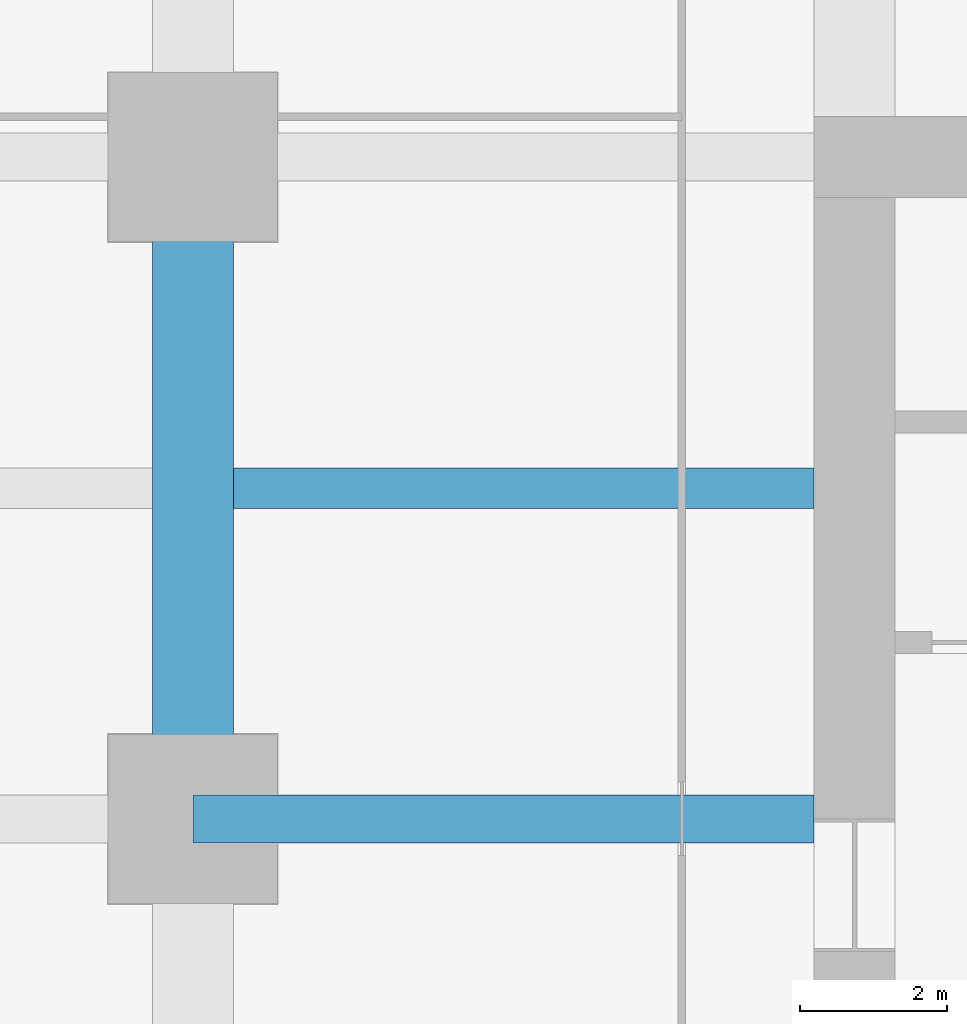
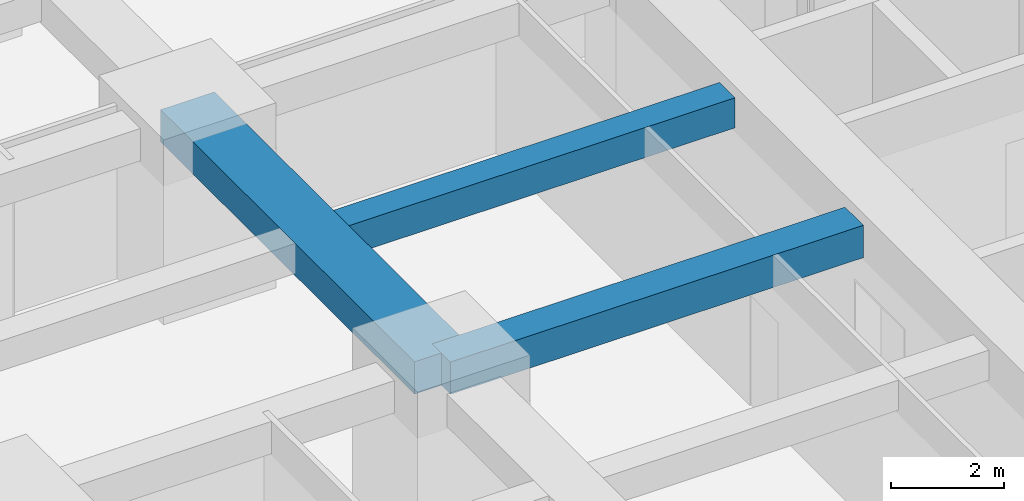
# One storey, part 12 of 44: 3 beams.
"""IFC4 building model written with IfcOpenShell, lengths in metres."""

from ifc_helpers import new_model, si_unit, direction, frame, origin, origin_2d, place, context, subcontext, project, spatial, rectangle, extrude, material, material_profile, profile_set, type_object, element, save


model = new_model("IFC4")

# Units and contexts
model_context = context("Model", 3, precision=1e-05, world=origin(), true_north=direction((0.0, 1.0)))
body_context = subcontext(model_context, "Body", "Model", "MODEL_VIEW")
ifc_project = project(units=[si_unit("LENGTHUNIT", "METRE"), si_unit("AREAUNIT", "SQUARE_METRE"), si_unit("VOLUMEUNIT", "CUBIC_METRE"), si_unit("PLANEANGLEUNIT", "RADIAN"), si_unit("MASSUNIT", "GRAM", prefix="KILO")], contexts=[model_context])

# Site, building, storey
site_placement = place(None, origin())
site = spatial("IfcSite", under=ifc_project, at=site_placement, CompositionType="ELEMENT")
building_placement = place(site_placement, origin())
building = spatial("IfcBuilding", under=site, at=building_placement, Name="Zorevar Civic Tower", CompositionType="ELEMENT")
storey_placement = place(building_placement, frame((0.0, 0.0, 31.800048828125)))
storey = spatial("IfcBuildingStorey", under=building, at=storey_placement, Name="L07", CompositionType="ELEMENT", Elevation=31.800048828125)

# Beams
ifc_material_1 = material(Name="Concrete C50/60", Category="concrete")
ifc_material_profile_1 = material_profile(ifc_material_1, rectangle(XDim=1.10009765625, YDim=0.699951171875, at=origin_2d()), Name="RC 1100x700")
ifc_profile_set_1 = profile_set([ifc_material_profile_1], Name="Concrete C50/60")
beam_type_1 = type_object("IfcBeamType", Name="Beam RC 1100x700", PredefinedType="BEAM", material=ifc_profile_set_1)
beam_1_placement = place(storey_placement, frame((9.0, 27.0, 3.39990234375), z_axis=(0.0, 1.0, 0.0), x_axis=(-1.0, 0.0, 0.0)))
element("IfcBeam", 1, at=beam_1_placement, inside=storey, type_object=beam_type_1, Name="Girder L08", PredefinedType="BEAM", context=body_context, shape_type="SweptSolid", body=[
    extrude(rectangle(XDim=1.10009765625, YDim=0.699951171875, at=origin_2d()), origin(), (0.0, 0.0, 1.0), 9.0),
])
ifc_material_2 = material(Name="Concrete C50/60", Category="concrete")
ifc_material_profile_2 = material_profile(ifc_material_2, rectangle(XDim=0.550048828125, YDim=0.64990234375, at=origin_2d()), Name="RC 550x650")
ifc_profile_set_2 = profile_set([ifc_material_profile_2], Name="Concrete C50/60")
beam_type_2 = type_object("IfcBeamType", Name="Beam RC 550x650", PredefinedType="BEAM", material=ifc_profile_set_2)
beam_2_placement = place(storey_placement, frame((9.550048828125, 31.5, 3.425048828125), z_axis=(1.0, 0.0, 0.0), x_axis=(0.0, 1.0, 0.0)))
element("IfcBeam", 2, at=beam_2_placement, inside=storey, type_object=beam_type_2, Name="Secondary beam L08", PredefinedType="BEAM", context=body_context, shape_type="SweptSolid", body=[
    extrude(rectangle(XDim=0.550048828125, YDim=0.64990234375, at=origin_2d()), origin(), (0.0, 0.0, 1.0), 7.89990234375),
])
ifc_material_3 = material(Name="Concrete C50/60", Category="concrete")
ifc_material_profile_3 = material_profile(ifc_material_3, rectangle(XDim=0.64990234375, YDim=0.699951171875, at=origin_2d()), Name="RC 650x700")
ifc_profile_set_3 = profile_set([ifc_material_profile_3], Name="Concrete C50/60")
beam_type_3 = type_object("IfcBeamType", Name="Beam RC 650x700", PredefinedType="BEAM", material=ifc_profile_set_3)
beam_3_placement = place(storey_placement, frame((9.0, 27.0, 3.39990234375), z_axis=(1.0, 0.0, 0.0), x_axis=(0.0, 1.0, 0.0)))
element("IfcBeam", 3, at=beam_3_placement, inside=storey, type_object=beam_type_3, Name="Girder L08", PredefinedType="BEAM", context=body_context, shape_type="SweptSolid", body=[
    extrude(rectangle(XDim=0.64990234375, YDim=0.699951171875, at=origin_2d()), origin(), (0.0, 0.0, 1.0), 8.449951171875),
])

save(model, "model.ifc")
